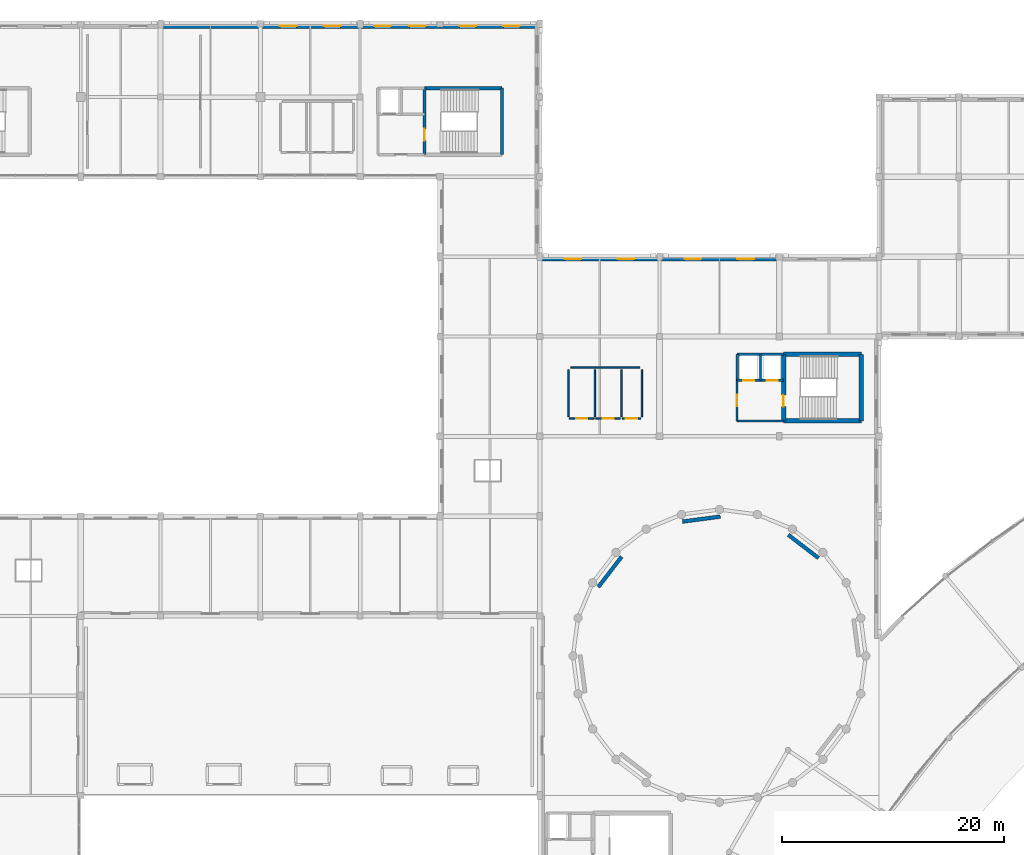
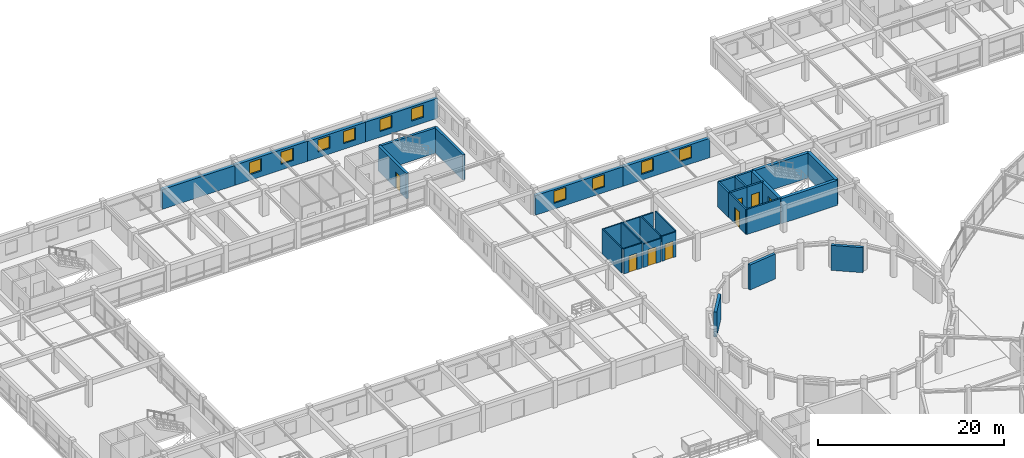
# One storey, part 55 of 74: 31 walls, 10 windows, 8 doors, 18 openings.
"""IFC4 building model written with IfcOpenShell, lengths in metres."""

from ifc_helpers import new_model, si_unit, direction, frame, frame_2d, origin, place, context, subcontext, project, spatial, rectangle, extrude, material, layer, layer_set, type_object, element, fill, save


model = new_model("IFC4")

# Units and contexts
model_context = context("Model", 3, precision=1e-05, world=origin(), true_north=direction((0.0, 1.0)))
body_context = subcontext(model_context, "Body", "Model", "MODEL_VIEW")
ifc_project = project(units=[si_unit("LENGTHUNIT", "METRE"), si_unit("AREAUNIT", "SQUARE_METRE"), si_unit("VOLUMEUNIT", "CUBIC_METRE"), si_unit("PLANEANGLEUNIT", "RADIAN"), si_unit("MASSUNIT", "GRAM", prefix="KILO")], contexts=[model_context])

# Site, building, storey
site_placement = place(None, origin())
site = spatial("IfcSite", under=ifc_project, at=site_placement, CompositionType="ELEMENT")
building_placement = place(site_placement, origin())
building = spatial("IfcBuilding", under=site, at=building_placement, Name="Clarverna Civic Hall", CompositionType="ELEMENT")
storey_placement = place(building_placement, frame((0.0, 0.0, 9.60009765625)))
storey = spatial("IfcBuildingStorey", under=building, at=storey_placement, Name="L02", CompositionType="ELEMENT", Elevation=9.60009765625)

# Wall
ifc_material_1 = material(Name="Montjuic Limestone Ashlar Cladding", Category="masonry")
ifc_layer_1 = layer(ifc_material_1, 0.39990234375)
ifc_layer_set_1 = layer_set([ifc_layer_1], Name="Montjuic Limestone Ashlar Cladding")
wall_type_1 = type_object("IfcWallType", Name="EW-02", PredefinedType="SOLIDWALL", material=ifc_layer_set_1)
wall_1_placement = place(storey_placement, frame((32.39990234375, 115.800048828125, 0.0), z_axis=(0.0, 0.0, 1.0), x_axis=(1.0, 0.0, 0.0)))
element("IfcWall", 1, at=wall_1_placement, inside=storey, type_object=wall_type_1, Name="EW-02-088", PredefinedType="SOLIDWALL", context=body_context, shape_type="SweptSolid", body=[
    extrude(rectangle(XDim=9.0, YDim=0.39990234375, at=frame_2d((4.5, 0.0))), origin(), (0.0, 0.0, 1.0), 2.599853515625),
])

# Wall, openings, windows
wall_2_placement = place(storey_placement, frame((41.39990234375, 115.800048828125, 0.0), z_axis=(0.0, 0.0, 1.0), x_axis=(1.0, 0.0, 0.0)))
wall_2 = element("IfcWall", 2, at=wall_2_placement, inside=storey, type_object=wall_type_1, Name="EW-02-089", PredefinedType="SOLIDWALL", context=body_context, shape_type="SweptSolid", body=[
    extrude(rectangle(XDim=9.0, YDim=0.39990234375, at=frame_2d((4.5, 0.0))), origin(), (0.0, 0.0, 1.0), 2.639892578125),
])
opening_1_placement = place(wall_2_placement, frame((1.77001953125, 0.0, 0.75)))
opening_1 = element("IfcOpeningElement", 3, at=opening_1_placement, cuts=wall_2, Name="Opening WN-14", PredefinedType="OPENING", context=body_context, shape_type="SweptSolid", body=[
    extrude(rectangle(XDim=1.5, YDim=1.60009765625, at=frame_2d((0.75, 0.800048828125))), frame((0.0, 0.2099609375, 0.0), z_axis=(0.0, -1.0, 0.0), x_axis=(1.0, 0.0, 0.0)), (0.0, 0.0, 1.0), 0.419921875),
])
opening_2_placement = place(wall_2_placement, frame((5.72998046875, 0.0, 0.75)))
opening_2 = element("IfcOpeningElement", 4, at=opening_2_placement, cuts=wall_2, Name="Opening WN-14", PredefinedType="OPENING", context=body_context, shape_type="SweptSolid", body=[
    extrude(rectangle(XDim=1.5, YDim=1.60009765625, at=frame_2d((0.75, 0.800048828125))), frame((0.0, 0.2099609375, 0.0), z_axis=(0.0, -1.0, 0.0), x_axis=(1.0, 0.0, 0.0)), (0.0, 0.0, 1.0), 0.419921875),
])
ifc_material_2 = material(Name="Solar-Control Argon Low-E Double Glazing", Category="glass")
window_type = type_object("IfcWindowType", Name="WN-14", PartitioningType="DOUBLE_PANEL_HORIZONTAL", PredefinedType="WINDOW", material=ifc_material_2)
window_1_placement = place(opening_1_placement, origin())
window_1 = element("IfcWindow", 5, at=window_1_placement, inside=storey, type_object=window_type, Name="WN-14-030", OverallHeight=1.60009765625, OverallWidth=1.5, PartitioningType="DOUBLE_PANEL_HORIZONTAL", PredefinedType="WINDOW", context=body_context, shape_type="SweptSolid", body=[
    extrude(rectangle(XDim=1.5, YDim=1.60009765625, at=frame_2d((0.75, 0.800048828125))), frame((0.0, 0.030029296875, 0.0), z_axis=(0.0, -1.0, 0.0), x_axis=(1.0, 0.0, 0.0)), (0.0, 0.0, 1.0), 0.06005859375),
])
fill(opening_1, window_1)
window_2_placement = place(opening_2_placement, origin())
window_2 = element("IfcWindow", 6, at=window_2_placement, inside=storey, type_object=window_type, Name="WN-14-031", OverallHeight=1.60009765625, OverallWidth=1.5, PartitioningType="DOUBLE_PANEL_HORIZONTAL", PredefinedType="WINDOW", context=body_context, shape_type="SweptSolid", body=[
    extrude(rectangle(XDim=1.5, YDim=1.60009765625, at=frame_2d((0.75, 0.800048828125))), frame((0.0, 0.030029296875, 0.0), z_axis=(0.0, -1.0, 0.0), x_axis=(1.0, 0.0, 0.0)), (0.0, 0.0, 1.0), 0.06005859375),
])
fill(opening_2, window_2)

wall_3_placement = place(storey_placement, frame((50.39990234375, 115.800048828125, 0.0), z_axis=(0.0, 0.0, 1.0), x_axis=(1.0, 0.0, 0.0)))
wall_3 = element("IfcWall", 7, at=wall_3_placement, inside=storey, type_object=wall_type_1, Name="EW-02-090", PredefinedType="SOLIDWALL", context=body_context, shape_type="SweptSolid", body=[
    extrude(rectangle(XDim=7.2001953125, YDim=0.39990234375, at=frame_2d((3.60009765625, 0.0))), origin(), (0.0, 0.0, 1.0), 2.599853515625),
])
opening_3_placement = place(wall_3_placement, frame((1.26611328125, 0.0, 0.75)))
opening_3 = element("IfcOpeningElement", 8, at=opening_3_placement, cuts=wall_3, Name="Opening WN-14", PredefinedType="OPENING", context=body_context, shape_type="SweptSolid", body=[
    extrude(rectangle(XDim=1.5, YDim=1.60009765625, at=frame_2d((0.75, 0.800048828125))), frame((0.0, 0.2099609375, 0.0), z_axis=(0.0, -1.0, 0.0), x_axis=(1.0, 0.0, 0.0)), (0.0, 0.0, 1.0), 0.419921875),
])
opening_4_placement = place(wall_3_placement, frame((4.43408203125, 0.0, 0.75)))
opening_4 = element("IfcOpeningElement", 9, at=opening_4_placement, cuts=wall_3, Name="Opening WN-14", PredefinedType="OPENING", context=body_context, shape_type="SweptSolid", body=[
    extrude(rectangle(XDim=1.5, YDim=1.60009765625, at=frame_2d((0.75, 0.800048828125))), frame((0.0, 0.2099609375, 0.0), z_axis=(0.0, -1.0, 0.0), x_axis=(1.0, 0.0, 0.0)), (0.0, 0.0, 1.0), 0.419921875),
])
window_3_placement = place(opening_3_placement, origin())
window_3 = element("IfcWindow", 10, at=window_3_placement, inside=storey, type_object=window_type, Name="WN-14-032", OverallHeight=1.60009765625, OverallWidth=1.5, PartitioningType="DOUBLE_PANEL_HORIZONTAL", PredefinedType="WINDOW", context=body_context, shape_type="SweptSolid", body=[
    extrude(rectangle(XDim=1.5, YDim=1.60009765625, at=frame_2d((0.75, 0.800048828125))), frame((0.0, 0.030029296875, 0.0), z_axis=(0.0, -1.0, 0.0), x_axis=(1.0, 0.0, 0.0)), (0.0, 0.0, 1.0), 0.06005859375),
])
fill(opening_3, window_3)
window_4_placement = place(opening_4_placement, origin())
window_4 = element("IfcWindow", 11, at=window_4_placement, inside=storey, type_object=window_type, Name="WN-14-033", OverallHeight=1.60009765625, OverallWidth=1.5, PartitioningType="DOUBLE_PANEL_HORIZONTAL", PredefinedType="WINDOW", context=body_context, shape_type="SweptSolid", body=[
    extrude(rectangle(XDim=1.5, YDim=1.60009765625, at=frame_2d((0.75, 0.800048828125))), frame((0.0, 0.030029296875, 0.0), z_axis=(0.0, -1.0, 0.0), x_axis=(1.0, 0.0, 0.0)), (0.0, 0.0, 1.0), 0.06005859375),
])
fill(opening_4, window_4)

wall_4_placement = place(storey_placement, frame((57.60009765625, 115.800048828125, 0.0), z_axis=(0.0, 0.0, 1.0), x_axis=(1.0, 0.0, 0.0)))
wall_4 = element("IfcWall", 12, at=wall_4_placement, inside=storey, type_object=wall_type_1, Name="EW-02-091", PredefinedType="SOLIDWALL", context=body_context, shape_type="SweptSolid", body=[
    extrude(rectangle(XDim=8.974853515625, YDim=0.39990234375, at=frame_2d((4.4873046875, 0.0))), origin(), (0.0, 0.0, 1.0), 2.599853515625),
])
opening_5_placement = place(wall_4_placement, frame((1.762939453125, 0.0, 0.75)))
opening_5 = element("IfcOpeningElement", 13, at=opening_5_placement, cuts=wall_4, Name="Opening WN-14", PredefinedType="OPENING", context=body_context, shape_type="SweptSolid", body=[
    extrude(rectangle(XDim=1.5, YDim=1.60009765625, at=frame_2d((0.75, 0.800048828125))), frame((0.0, 0.2099609375, 0.0), z_axis=(0.0, -1.0, 0.0), x_axis=(1.0, 0.0, 0.0)), (0.0, 0.0, 1.0), 0.419921875),
])
opening_6_placement = place(wall_4_placement, frame((5.7119140625, 0.0, 0.75)))
opening_6 = element("IfcOpeningElement", 14, at=opening_6_placement, cuts=wall_4, Name="Opening WN-14", PredefinedType="OPENING", context=body_context, shape_type="SweptSolid", body=[
    extrude(rectangle(XDim=1.5, YDim=1.60009765625, at=frame_2d((0.75, 0.800048828125))), frame((0.0, 0.2099609375, 0.0), z_axis=(0.0, -1.0, 0.0), x_axis=(1.0, 0.0, 0.0)), (0.0, 0.0, 1.0), 0.419921875),
])
window_5_placement = place(opening_5_placement, origin())
window_5 = element("IfcWindow", 15, at=window_5_placement, inside=storey, type_object=window_type, Name="WN-14-034", OverallHeight=1.60009765625, OverallWidth=1.5, PartitioningType="DOUBLE_PANEL_HORIZONTAL", PredefinedType="WINDOW", context=body_context, shape_type="SweptSolid", body=[
    extrude(rectangle(XDim=1.5, YDim=1.60009765625, at=frame_2d((0.75, 0.800048828125))), frame((0.0, 0.030029296875, 0.0), z_axis=(0.0, -1.0, 0.0), x_axis=(1.0, 0.0, 0.0)), (0.0, 0.0, 1.0), 0.06005859375),
])
fill(opening_5, window_5)
window_6_placement = place(opening_6_placement, origin())
window_6 = element("IfcWindow", 16, at=window_6_placement, inside=storey, type_object=window_type, Name="WN-14-035", OverallHeight=1.60009765625, OverallWidth=1.5, PartitioningType="DOUBLE_PANEL_HORIZONTAL", PredefinedType="WINDOW", context=body_context, shape_type="SweptSolid", body=[
    extrude(rectangle(XDim=1.5, YDim=1.60009765625, at=frame_2d((0.75, 0.800048828125))), frame((0.0, 0.030029296875, 0.0), z_axis=(0.0, -1.0, 0.0), x_axis=(1.0, 0.0, 0.0)), (0.0, 0.0, 1.0), 0.06005859375),
])
fill(opening_6, window_6)

wall_5_placement = place(storey_placement, frame((66.574951171875, 94.800048828125, 0.0), z_axis=(0.0, 0.0, 1.0), x_axis=(1.0, 0.0, 0.0)))
wall_5 = element("IfcWall", 17, at=wall_5_placement, inside=storey, type_object=wall_type_1, Name="EW-02-095", PredefinedType="SOLIDWALL", context=body_context, shape_type="SweptSolid", body=[
    extrude(rectangle(XDim=10.824951171875, YDim=0.39990234375, at=frame_2d((5.41259765625, 0.0))), origin(), (0.0, 0.0, 1.0), 2.559814453125),
])
opening_7_placement = place(wall_5_placement, frame((2.281005859375, 0.0, 0.75)))
opening_7 = element("IfcOpeningElement", 18, at=opening_7_placement, cuts=wall_5, Name="Opening WN-14", PredefinedType="OPENING", context=body_context, shape_type="SweptSolid", body=[
    extrude(rectangle(XDim=1.5, YDim=1.60009765625, at=frame_2d((0.75, 0.800048828125))), frame((0.0, 0.2099609375, 0.0), z_axis=(0.0, -1.0, 0.0), x_axis=(1.0, 0.0, 0.0)), (0.0, 0.0, 1.0), 0.419921875),
])
opening_8_placement = place(wall_5_placement, frame((7.0439453125, 0.0, 0.75)))
opening_8 = element("IfcOpeningElement", 19, at=opening_8_placement, cuts=wall_5, Name="Opening WN-14", PredefinedType="OPENING", context=body_context, shape_type="SweptSolid", body=[
    extrude(rectangle(XDim=1.5, YDim=1.60009765625, at=frame_2d((0.75, 0.800048828125))), frame((0.0, 0.2099609375, 0.0), z_axis=(0.0, -1.0, 0.0), x_axis=(1.0, 0.0, 0.0)), (0.0, 0.0, 1.0), 0.419921875),
])
window_7_placement = place(opening_7_placement, origin())
window_7 = element("IfcWindow", 20, at=window_7_placement, inside=storey, type_object=window_type, Name="WN-14-042", OverallHeight=1.60009765625, OverallWidth=1.5, PartitioningType="DOUBLE_PANEL_HORIZONTAL", PredefinedType="WINDOW", context=body_context, shape_type="SweptSolid", body=[
    extrude(rectangle(XDim=1.5, YDim=1.60009765625, at=frame_2d((0.75, 0.800048828125))), frame((0.0, 0.030029296875, 0.0), z_axis=(0.0, -1.0, 0.0), x_axis=(1.0, 0.0, 0.0)), (0.0, 0.0, 1.0), 0.06005859375),
])
fill(opening_7, window_7)
window_8_placement = place(opening_8_placement, origin())
window_8 = element("IfcWindow", 21, at=window_8_placement, inside=storey, type_object=window_type, Name="WN-14-043", OverallHeight=1.60009765625, OverallWidth=1.5, PartitioningType="DOUBLE_PANEL_HORIZONTAL", PredefinedType="WINDOW", context=body_context, shape_type="SweptSolid", body=[
    extrude(rectangle(XDim=1.5, YDim=1.60009765625, at=frame_2d((0.75, 0.800048828125))), frame((0.0, 0.030029296875, 0.0), z_axis=(0.0, -1.0, 0.0), x_axis=(1.0, 0.0, 0.0)), (0.0, 0.0, 1.0), 0.06005859375),
])
fill(opening_8, window_8)

wall_6_placement = place(storey_placement, frame((77.39990234375, 94.800048828125, 0.0), z_axis=(0.0, 0.0, 1.0), x_axis=(1.0, 0.0, 0.0)))
wall_6 = element("IfcWall", 22, at=wall_6_placement, inside=storey, type_object=wall_type_1, Name="EW-02-096", PredefinedType="SOLIDWALL", context=body_context, shape_type="SweptSolid", body=[
    extrude(rectangle(XDim=10.800048828125, YDim=0.39990234375, at=frame_2d((5.39990234375, 0.0))), origin(), (0.0, 0.0, 1.0), 2.52978515625),
])
opening_9_placement = place(wall_6_placement, frame((2.27392578125, 0.0, 0.75)))
opening_9 = element("IfcOpeningElement", 23, at=opening_9_placement, cuts=wall_6, Name="Opening WN-14", PredefinedType="OPENING", context=body_context, shape_type="SweptSolid", body=[
    extrude(rectangle(XDim=1.5, YDim=1.60009765625, at=frame_2d((0.75, 0.800048828125))), frame((0.0, 0.2099609375, 0.0), z_axis=(0.0, -1.0, 0.0), x_axis=(1.0, 0.0, 0.0)), (0.0, 0.0, 1.0), 0.419921875),
])
opening_10_placement = place(wall_6_placement, frame((7.02587890625, 0.0, 0.75)))
opening_10 = element("IfcOpeningElement", 24, at=opening_10_placement, cuts=wall_6, Name="Opening WN-14", PredefinedType="OPENING", context=body_context, shape_type="SweptSolid", body=[
    extrude(rectangle(XDim=1.5, YDim=1.60009765625, at=frame_2d((0.75, 0.800048828125))), frame((0.0, 0.2099609375, 0.0), z_axis=(0.0, -1.0, 0.0), x_axis=(1.0, 0.0, 0.0)), (0.0, 0.0, 1.0), 0.419921875),
])
window_9_placement = place(opening_9_placement, origin())
window_9 = element("IfcWindow", 25, at=window_9_placement, inside=storey, type_object=window_type, Name="WN-14-044", OverallHeight=1.60009765625, OverallWidth=1.5, PartitioningType="DOUBLE_PANEL_HORIZONTAL", PredefinedType="WINDOW", context=body_context, shape_type="SweptSolid", body=[
    extrude(rectangle(XDim=1.5, YDim=1.60009765625, at=frame_2d((0.75, 0.800048828125))), frame((0.0, 0.030029296875, 0.0), z_axis=(0.0, -1.0, 0.0), x_axis=(1.0, 0.0, 0.0)), (0.0, 0.0, 1.0), 0.06005859375),
])
fill(opening_9, window_9)
window_10_placement = place(opening_10_placement, origin())
window_10 = element("IfcWindow", 26, at=window_10_placement, inside=storey, type_object=window_type, Name="WN-14-045", OverallHeight=1.60009765625, OverallWidth=1.5, PartitioningType="DOUBLE_PANEL_HORIZONTAL", PredefinedType="WINDOW", context=body_context, shape_type="SweptSolid", body=[
    extrude(rectangle(XDim=1.5, YDim=1.60009765625, at=frame_2d((0.75, 0.800048828125))), frame((0.0, 0.030029296875, 0.0), z_axis=(0.0, -1.0, 0.0), x_axis=(1.0, 0.0, 0.0)), (0.0, 0.0, 1.0), 0.06005859375),
])
fill(opening_10, window_10)

# Walls
ifc_material_3 = material(Name="Ceramic Brick and Plaster Wet-Room Partition", Category="masonry")
ifc_layer_2 = layer(ifc_material_3, 0.139892578125)
ifc_layer_set_2 = layer_set([ifc_layer_2], Name="Ceramic Brick and Plaster Wet-Room Partition")
wall_type_2 = type_object("IfcWallType", Name="PW-02", PredefinedType="PARTITIONING", material=ifc_layer_set_2)
wall_7_placement = place(storey_placement, frame((69.3798828125, 85.0, 0.0), z_axis=(0.0, 0.0, 1.0), x_axis=(1.0, 0.0, 0.0)))
element("IfcWall", 27, at=wall_7_placement, inside=storey, type_object=wall_type_2, Name="PW-02-089", PredefinedType="PARTITIONING", context=body_context, shape_type="SweptSolid", body=[
    extrude(rectangle(XDim=6.240234375, YDim=0.139892578125, at=frame_2d((3.1201171875, 0.0))), origin(), (0.0, 0.0, 1.0), 3.059814453125),
])
for number, where, z_axis, x_axis, name in (
    (28, (69.199951171875, 80.580078125, 0.0), (0.0, 0.0, 1.0), (0.0, 1.0, 0.0), "PW-02-090"),
    (29, (75.800048828125, 80.580078125, 0.0), (0.0, 0.0, 1.0), (0.0, 1.0, 0.0), "PW-02-091"),
    (30, (71.575927734375, 80.580078125, 0.0), (0.0, 0.0, 1.0), (0.0, 1.0, 0.0), "PW-02-092"),
    (31, (73.951904296875, 80.580078125, 0.0), (0.0, 0.0, 1.0), (0.0, 1.0, 0.0), "PW-02-093"),
):
    element("IfcWall", number, at=place(storey_placement, frame(where, z_axis=z_axis, x_axis=x_axis)), inside=storey, type_object=wall_type_2, Name=name, PredefinedType="PARTITIONING", context=body_context, shape_type="SweptSolid", body=[
        extrude(rectangle(XDim=4.239990234375, YDim=0.139892578125, at=frame_2d((2.1201171875, 0.0))), origin(), (0.0, 0.0, 1.0), 3.27978515625),
    ])

# Wall, opening, door
wall_8_placement = place(storey_placement, frame((69.280029296875, 80.39990234375, 0.0), z_axis=(0.0, 0.0, 1.0), x_axis=(1.0, 0.0, 0.0)))
wall_8 = element("IfcWall", 32, at=wall_8_placement, inside=storey, type_object=wall_type_2, Name="PW-02-094", PredefinedType="PARTITIONING", context=body_context, shape_type="SweptSolid", body=[
    extrude(rectangle(XDim=2.216064453125, YDim=0.139892578125, at=frame_2d((1.10791015625, 0.0))), origin(), (0.0, 0.0, 1.0), 3.27978515625),
])
opening_11_placement = place(wall_8_placement, frame((0.60791015625, 0.0, 0.0)))
opening_11 = element("IfcOpeningElement", 33, at=opening_11_placement, cuts=wall_8, Name="Opening ID-02", PredefinedType="OPENING", context=body_context, shape_type="SweptSolid", body=[
    extrude(rectangle(XDim=1.0, YDim=2.14990234375, at=frame_2d((0.5, 1.074951171875))), frame((0.0, 0.079833984375, 0.0), z_axis=(0.0, -1.0, 0.0), x_axis=(1.0, 0.0, 0.0)), (0.0, 0.0, 1.0), 0.159912109375),
])
ifc_material_4 = material(Name="European Oak Veneered Acoustic Timber Door", Category="wood")
door_type_1 = type_object("IfcDoorType", Name="ID-02", OperationType="NOTDEFINED", PredefinedType="DOOR", material=ifc_material_4)
door_1_placement = place(opening_11_placement, origin())
door_1 = element("IfcDoor", 34, at=door_1_placement, inside=storey, type_object=door_type_1, Name="ID-02-034", OperationType="SINGLE_SWING_RIGHT", OverallHeight=2.14990234375, OverallWidth=1.0, PredefinedType="DOOR", context=body_context, shape_type="SweptSolid", body=[
    extrude(rectangle(XDim=1.0, YDim=2.14990234375, at=frame_2d((0.5, 1.074951171875))), frame((0.0, 0.02490234375, 0.0), z_axis=(0.0, -1.0, 0.0), x_axis=(1.0, 0.0, 0.0)), (0.0, 0.0, 1.0), 0.050048828125),
])
fill(opening_11, door_1)

wall_9_placement = place(storey_placement, frame((71.656005859375, 80.39990234375, 0.0), z_axis=(0.0, 0.0, 1.0), x_axis=(1.0, 0.0, 0.0)))
wall_9 = element("IfcWall", 35, at=wall_9_placement, inside=storey, type_object=wall_type_2, Name="PW-02-095", PredefinedType="PARTITIONING", context=body_context, shape_type="SweptSolid", body=[
    extrude(rectangle(XDim=2.216064453125, YDim=0.139892578125, at=frame_2d((1.10791015625, 0.0))), origin(), (0.0, 0.0, 1.0), 3.059814453125),
])
opening_12_placement = place(wall_9_placement, frame((0.60791015625, 0.0, 0.0)))
opening_12 = element("IfcOpeningElement", 36, at=opening_12_placement, cuts=wall_9, Name="Opening ID-02", PredefinedType="OPENING", context=body_context, shape_type="SweptSolid", body=[
    extrude(rectangle(XDim=1.0, YDim=2.14990234375, at=frame_2d((0.5, 1.074951171875))), frame((0.0, 0.079833984375, 0.0), z_axis=(0.0, -1.0, 0.0), x_axis=(1.0, 0.0, 0.0)), (0.0, 0.0, 1.0), 0.159912109375),
])
door_2_placement = place(opening_12_placement, origin())
door_2 = element("IfcDoor", 37, at=door_2_placement, inside=storey, type_object=door_type_1, Name="ID-02-035", OperationType="SINGLE_SWING_LEFT", OverallHeight=2.14990234375, OverallWidth=1.0, PredefinedType="DOOR", context=body_context, shape_type="SweptSolid", body=[
    extrude(rectangle(XDim=1.0, YDim=2.14990234375, at=frame_2d((0.5, 1.074951171875))), frame((0.0, 0.02490234375, 0.0), z_axis=(0.0, -1.0, 0.0), x_axis=(1.0, 0.0, 0.0)), (0.0, 0.0, 1.0), 0.050048828125),
])
fill(opening_12, door_2)

wall_10_placement = place(storey_placement, frame((74.031982421875, 80.39990234375, 0.0), z_axis=(0.0, 0.0, 1.0), x_axis=(1.0, 0.0, 0.0)))
wall_10 = element("IfcWall", 38, at=wall_10_placement, inside=storey, type_object=wall_type_2, Name="PW-02-096", PredefinedType="PARTITIONING", context=body_context, shape_type="SweptSolid", body=[
    extrude(rectangle(XDim=1.68798828125, YDim=0.139892578125, at=frame_2d((0.843994140625, 0.0))), origin(), (0.0, 0.0, 1.0), 3.27978515625),
])
opening_13_placement = place(wall_10_placement, frame((0.343994140625, 0.0, 0.0)))
opening_13 = element("IfcOpeningElement", 39, at=opening_13_placement, cuts=wall_10, Name="Opening ID-02", PredefinedType="OPENING", context=body_context, shape_type="SweptSolid", body=[
    extrude(rectangle(XDim=1.0, YDim=2.14990234375, at=frame_2d((0.5, 1.074951171875))), frame((0.0, 0.079833984375, 0.0), z_axis=(0.0, -1.0, 0.0), x_axis=(1.0, 0.0, 0.0)), (0.0, 0.0, 1.0), 0.159912109375),
])
door_3_placement = place(opening_13_placement, origin())
door_3 = element("IfcDoor", 40, at=door_3_placement, inside=storey, type_object=door_type_1, Name="ID-02-036", OperationType="SINGLE_SWING_RIGHT", OverallHeight=2.14990234375, OverallWidth=1.0, PredefinedType="DOOR", context=body_context, shape_type="SweptSolid", body=[
    extrude(rectangle(XDim=1.0, YDim=2.14990234375, at=frame_2d((0.5, 1.074951171875))), frame((0.0, 0.02490234375, 0.0), z_axis=(0.0, -1.0, 0.0), x_axis=(1.0, 0.0, 0.0)), (0.0, 0.0, 1.0), 0.050048828125),
])
fill(opening_13, door_3)

ifc_material_5 = material(Name="Acoustic Gypsum Plasterboard on Twin Frame", Category="gypsum")
ifc_layer_3 = layer(ifc_material_5, 0.18994140625)
ifc_layer_set_3 = layer_set([ifc_layer_3], Name="Acoustic Gypsum Plasterboard on Twin Frame")
wall_type_3 = type_object("IfcWallType", Name="PW-06", PredefinedType="PARTITIONING", material=ifc_layer_set_3)
wall_11_placement = place(storey_placement, frame((84.39990234375, 80.199951171875, 0.0), z_axis=(0.0, 0.0, 1.0), x_axis=(0.0, 1.0, 0.0)))
wall_11 = element("IfcWall", 41, at=wall_11_placement, inside=storey, type_object=wall_type_3, Name="PW-06-043", PredefinedType="PARTITIONING", context=body_context, shape_type="SweptSolid", body=[
    extrude(rectangle(XDim=3.650146484375, YDim=0.18994140625, at=frame_2d((1.8251953125, 0.0))), origin(), (0.0, 0.0, 1.0), 3.27978515625),
])
opening_14_placement = place(wall_11_placement, frame((1.300048828125, 0.0, 0.0)))
opening_14 = element("IfcOpeningElement", 42, at=opening_14_placement, cuts=wall_11, Name="Opening FD-02", PredefinedType="OPENING", context=body_context, shape_type="SweptSolid", body=[
    extrude(rectangle(XDim=1.050048828125, YDim=2.14990234375, at=frame_2d((0.52490234375, 1.074951171875))), frame((0.0, 0.10498046875, 0.0), z_axis=(0.0, -1.0, 0.0), x_axis=(1.0, 0.0, 0.0)), (0.0, 0.0, 1.0), 0.2099609375),
])
ifc_material_6 = material(Name="Acoustic Timber-Faced Fire Door", Category="wood")
door_type_2 = type_object("IfcDoorType", Name="FD-02", OperationType="NOTDEFINED", PredefinedType="DOOR", material=ifc_material_6)
door_4_placement = place(opening_14_placement, origin())
door_4 = element("IfcDoor", 43, at=door_4_placement, inside=storey, type_object=door_type_2, Name="FD-02-041", OperationType="SINGLE_SWING_RIGHT", OverallHeight=2.14990234375, OverallWidth=1.050048828125, PredefinedType="DOOR", context=body_context, shape_type="SweptSolid", body=[
    extrude(rectangle(XDim=1.050048828125, YDim=2.14990234375, at=frame_2d((0.52490234375, 1.074951171875))), frame((0.0, 0.02490234375, 0.0), z_axis=(0.0, -1.0, 0.0), x_axis=(1.0, 0.0, 0.0)), (0.0, 0.0, 1.0), 0.050048828125),
])
fill(opening_14, door_4)

# Wall
wall_12_placement = place(storey_placement, frame((84.39990234375, 80.199951171875, 0.0), z_axis=(0.0, 0.0, 1.0), x_axis=(1.0, 0.0, 0.0)))
element("IfcWall", 44, at=wall_12_placement, inside=storey, type_object=wall_type_3, Name="PW-06-044", PredefinedType="PARTITIONING", context=body_context, shape_type="SweptSolid", body=[
    extrude(rectangle(XDim=4.2001953125, YDim=0.18994140625, at=frame_2d((2.10009765625, 0.0))), origin(), (0.0, 0.0, 1.0), 3.27978515625),
])

# Wall, opening, door
ifc_material_7 = material(Name="Concrete C35/45", Category="concrete")
ifc_layer_4 = layer(ifc_material_7, 0.3798828125)
ifc_layer_set_4 = layer_set([ifc_layer_4], Name="Concrete C35/45")
wall_type_4 = type_object("IfcWallType", Name="SW-01", PredefinedType="SHEAR", material=ifc_layer_set_4)
wall_13_placement = place(storey_placement, frame((88.60009765625, 80.199951171875, 0.0), z_axis=(0.0, 0.0, 1.0), x_axis=(0.0, 1.0, 0.0)))
wall_13 = element("IfcWall", 45, at=wall_13_placement, inside=storey, type_object=wall_type_4, Name="SW-01-190", PredefinedType="SHEAR", context=body_context, shape_type="SweptSolid", body=[
    extrude(rectangle(XDim=6.0, YDim=0.3798828125, at=frame_2d((3.0, 0.0))), origin(), (0.0, 0.0, 1.0), 3.27978515625),
])
opening_15_placement = place(wall_13_placement, frame((1.27490234375, 0.0, 0.0)))
opening_15 = element("IfcOpeningElement", 46, at=opening_15_placement, cuts=wall_13, Name="Opening FD-02", PredefinedType="OPENING", context=body_context, shape_type="SweptSolid", body=[
    extrude(rectangle(XDim=1.050048828125, YDim=2.14990234375, at=frame_2d((0.52490234375, 1.074951171875))), frame((0.0, 0.199951171875, 0.0), z_axis=(0.0, -1.0, 0.0), x_axis=(1.0, 0.0, 0.0)), (0.0, 0.0, 1.0), 0.39990234375),
])
door_5_placement = place(opening_15_placement, origin())
door_5 = element("IfcDoor", 47, at=door_5_placement, inside=storey, type_object=door_type_2, Name="FD-02-040", OperationType="SINGLE_SWING_LEFT", OverallHeight=2.14990234375, OverallWidth=1.050048828125, PredefinedType="DOOR", context=body_context, shape_type="SweptSolid", body=[
    extrude(rectangle(XDim=1.050048828125, YDim=2.14990234375, at=frame_2d((0.52490234375, 1.074951171875))), frame((0.0, 0.02490234375, 0.0), z_axis=(0.0, -1.0, 0.0), x_axis=(1.0, 0.0, 0.0)), (0.0, 0.0, 1.0), 0.050048828125),
])
fill(opening_15, door_5)

# Walls
wall_14_placement = place(storey_placement, frame((95.60009765625, 80.199951171875, 0.0), z_axis=(0.0, 0.0, 1.0), x_axis=(0.0, 1.0, 0.0)))
element("IfcWall", 48, at=wall_14_placement, inside=storey, type_object=wall_type_4, Name="SW-01-191", PredefinedType="SHEAR", context=body_context, shape_type="SweptSolid", body=[
    extrude(rectangle(XDim=6.0, YDim=0.3798828125, at=frame_2d((3.0, 0.0))), origin(), (0.0, 0.0, 1.0), 3.27978515625),
])
for number, where, z_axis, x_axis, name in (
    (49, (88.60009765625, 80.199951171875, 0.0), (0.0, 0.0, 1.0), (1.0, 0.0, 0.0), "SW-01-192"),
    (50, (88.60009765625, 86.199951171875, 0.0), (0.0, 0.0, 1.0), (1.0, 0.0, 0.0), "SW-01-193"),
):
    element("IfcWall", number, at=place(storey_placement, frame(where, z_axis=z_axis, x_axis=x_axis)), inside=storey, type_object=wall_type_4, Name=name, PredefinedType="SHEAR", context=body_context, shape_type="SweptSolid", body=[
        extrude(rectangle(XDim=7.0, YDim=0.3798828125, at=frame_2d((3.5, 0.0))), origin(), (0.0, 0.0, 1.0), 3.27978515625),
    ])
wall_15_placement = place(storey_placement, frame((84.39990234375, 86.199951171875, 0.0), z_axis=(0.0, 0.0, 1.0), x_axis=(1.0, 0.0, 0.0)))
element("IfcWall", 51, at=wall_15_placement, inside=storey, type_object=wall_type_4, Name="SW-01-194", PredefinedType="SHEAR", context=body_context, shape_type="SweptSolid", body=[
    extrude(rectangle(XDim=4.2001953125, YDim=0.239990234375, at=frame_2d((2.10009765625, 0.0))), origin(), (0.0, 0.0, 1.0), 3.27978515625),
])
wall_16_placement = place(storey_placement, frame((84.39990234375, 83.85009765625, 0.0), z_axis=(0.0, 0.0, 1.0), x_axis=(0.0, 1.0, 0.0)))
element("IfcWall", 52, at=wall_16_placement, inside=storey, type_object=wall_type_4, Name="SW-01-195", PredefinedType="SHEAR", context=body_context, shape_type="SweptSolid", body=[
    extrude(rectangle(XDim=2.349853515625, YDim=0.239990234375, at=frame_2d((1.1748046875, 0.0))), origin(), (0.0, 0.0, 1.0), 3.27978515625),
])
wall_17_placement = place(storey_placement, frame((86.5, 83.85009765625, 0.0), z_axis=(0.0, 0.0, 1.0), x_axis=(0.0, 1.0, 0.0)))
element("IfcWall", 53, at=wall_17_placement, inside=storey, type_object=wall_type_4, Name="SW-01-196", PredefinedType="SHEAR", context=body_context, shape_type="SweptSolid", body=[
    extrude(rectangle(XDim=2.349853515625, YDim=0.199951171875, at=frame_2d((1.1748046875, 0.0))), origin(), (0.0, 0.0, 1.0), 3.27978515625),
])

# Wall, opening, door
wall_18_placement = place(storey_placement, frame((84.39990234375, 83.85009765625, 0.0), z_axis=(0.0, 0.0, 1.0), x_axis=(1.0, 0.0, 0.0)))
wall_18 = element("IfcWall", 54, at=wall_18_placement, inside=storey, type_object=wall_type_4, Name="SW-01-197", PredefinedType="SHEAR", context=body_context, shape_type="SweptSolid", body=[
    extrude(rectangle(XDim=2.10009765625, YDim=0.239990234375, at=frame_2d((1.050048828125, 0.0))), origin(), (0.0, 0.0, 1.0), 3.27978515625),
])
opening_16_placement = place(wall_18_placement, frame((0.550048828125, 0.0, 0.0)))
opening_16 = element("IfcOpeningElement", 55, at=opening_16_placement, cuts=wall_18, Name="Opening LD-01", PredefinedType="OPENING", context=body_context, shape_type="SweptSolid", body=[
    extrude(rectangle(XDim=1.0, YDim=2.10009765625, at=frame_2d((0.5, 1.050048828125))), frame((0.0, 0.1298828125, 0.0), z_axis=(0.0, -1.0, 0.0), x_axis=(1.0, 0.0, 0.0)), (0.0, 0.0, 1.0), 0.260009765625),
])
ifc_material_8 = material(Name="Brushed Bronze Stainless Lift Landing Door")
door_type_3 = type_object("IfcDoorType", Name="LD-01", OperationType="SLIDING_TO_LEFT", PredefinedType="DOOR", material=ifc_material_8)
door_6_placement = place(opening_16_placement, origin())
door_6 = element("IfcDoor", 56, at=door_6_placement, inside=storey, type_object=door_type_3, Name="LD-01-043", OperationType="SLIDING_TO_LEFT", OverallHeight=2.10009765625, OverallWidth=1.0, PredefinedType="DOOR", context=body_context, shape_type="SweptSolid", body=[
    extrude(rectangle(XDim=1.0, YDim=2.10009765625, at=frame_2d((0.5, 1.050048828125))), frame((0.0, 0.02490234375, 0.0), z_axis=(0.0, -1.0, 0.0), x_axis=(1.0, 0.0, 0.0)), (0.0, 0.0, 1.0), 0.050048828125),
])
fill(opening_16, door_6)

wall_19_placement = place(storey_placement, frame((86.5, 83.85009765625, 0.0), z_axis=(0.0, 0.0, 1.0), x_axis=(1.0, 0.0, 0.0)))
wall_19 = element("IfcWall", 57, at=wall_19_placement, inside=storey, type_object=wall_type_4, Name="SW-01-198", PredefinedType="SHEAR", context=body_context, shape_type="SweptSolid", body=[
    extrude(rectangle(XDim=2.10009765625, YDim=0.239990234375, at=frame_2d((1.050048828125, 0.0))), origin(), (0.0, 0.0, 1.0), 3.27978515625),
])
opening_17_placement = place(wall_19_placement, frame((0.550048828125, 0.0, 0.0)))
opening_17 = element("IfcOpeningElement", 58, at=opening_17_placement, cuts=wall_19, Name="Opening LD-01", PredefinedType="OPENING", context=body_context, shape_type="SweptSolid", body=[
    extrude(rectangle(XDim=1.0, YDim=2.10009765625, at=frame_2d((0.5, 1.050048828125))), frame((0.0, 0.1298828125, 0.0), z_axis=(0.0, -1.0, 0.0), x_axis=(1.0, 0.0, 0.0)), (0.0, 0.0, 1.0), 0.260009765625),
])
door_7_placement = place(opening_17_placement, origin())
door_7 = element("IfcDoor", 59, at=door_7_placement, inside=storey, type_object=door_type_3, Name="LD-01-044", OperationType="SLIDING_TO_LEFT", OverallHeight=2.10009765625, OverallWidth=1.0, PredefinedType="DOOR", context=body_context, shape_type="SweptSolid", body=[
    extrude(rectangle(XDim=1.0, YDim=2.10009765625, at=frame_2d((0.5, 1.050048828125))), frame((0.0, 0.02490234375, 0.0), z_axis=(0.0, -1.0, 0.0), x_axis=(1.0, 0.0, 0.0)), (0.0, 0.0, 1.0), 0.050048828125),
])
fill(opening_17, door_7)

# Walls
ifc_layer_5 = layer(ifc_material_7, 0.340087890625)
ifc_layer_set_5 = layer_set([ifc_layer_5], Name="Concrete C35/45")
wall_type_5 = type_object("IfcWallType", Name="SW-02", PredefinedType="SHEAR", material=ifc_layer_set_5)
for number, where, z_axis, x_axis, name in (
    (60, (91.741455078125, 67.822509765625, 0.0), (0.0, 0.0, 1.0), (-0.79334513726, 0.608772119258, 0.0), "SW-02-002"),
    (61, (82.884033203125, 71.56103515625, 0.0), (0.0, 0.0, 1.0), (-0.991446817928, -0.130511329852, 0.0), "SW-02-003"),
    (62, (73.9775390625, 67.94140625, 0.0), (0.0, 0.0, 1.0), (-0.608772119258, -0.79334513726, 0.0), "SW-02-004"),
):
    element("IfcWall", number, at=place(storey_placement, frame(where, z_axis=z_axis, x_axis=x_axis)), inside=storey, type_object=wall_type_5, Name=name, PredefinedType="SHEAR", context=body_context, shape_type="SweptSolid", body=[
        extrude(rectangle(XDim=3.44580078125, YDim=0.340087890625, at=frame_2d((1.722900390625, 0.0))), origin(), (0.0, 0.0, 1.0), 3.27978515625),
    ])

# Wall, opening, door
ifc_layer_6 = layer(ifc_material_7, 0.300048828125)
ifc_layer_set_6 = layer_set([ifc_layer_6], Name="Concrete C35/45")
wall_type_6 = type_object("IfcWallType", Name="SW-03", PredefinedType="SHEAR", material=ifc_layer_set_6)
wall_20_placement = place(storey_placement, frame((56.199951171875, 104.199951171875, 0.0), z_axis=(0.0, 0.0, 1.0), x_axis=(0.0, 1.0, 0.0)))
wall_20 = element("IfcWall", 63, at=wall_20_placement, inside=storey, type_object=wall_type_6, Name="SW-03-235", PredefinedType="SHEAR", context=body_context, shape_type="SweptSolid", body=[
    extrude(rectangle(XDim=6.0, YDim=0.300048828125, at=frame_2d((3.0, 0.0))), origin(), (0.0, 0.0, 1.0), 3.31982421875),
])
opening_18_placement = place(wall_20_placement, frame((1.27490234375, 0.0, 0.0)))
opening_18 = element("IfcOpeningElement", 64, at=opening_18_placement, cuts=wall_20, Name="Opening FD-02", PredefinedType="OPENING", context=body_context, shape_type="SweptSolid", body=[
    extrude(rectangle(XDim=1.050048828125, YDim=2.14990234375, at=frame_2d((0.52490234375, 1.074951171875))), frame((0.0, 0.159912109375, 0.0), z_axis=(0.0, -1.0, 0.0), x_axis=(1.0, 0.0, 0.0)), (0.0, 0.0, 1.0), 0.320068359375),
])
door_8_placement = place(opening_18_placement, origin())
door_8 = element("IfcDoor", 65, at=door_8_placement, inside=storey, type_object=door_type_2, Name="FD-02-100", OperationType="SINGLE_SWING_LEFT", OverallHeight=2.14990234375, OverallWidth=1.050048828125, PredefinedType="DOOR", context=body_context, shape_type="SweptSolid", body=[
    extrude(rectangle(XDim=1.050048828125, YDim=2.14990234375, at=frame_2d((0.52490234375, 1.074951171875))), frame((0.0, 0.02490234375, 0.0), z_axis=(0.0, -1.0, 0.0), x_axis=(1.0, 0.0, 0.0)), (0.0, 0.0, 1.0), 0.050048828125),
])
fill(opening_18, door_8)

# Walls
wall_21_placement = place(storey_placement, frame((63.199951171875, 104.199951171875, 0.0), z_axis=(0.0, 0.0, 1.0), x_axis=(0.0, 1.0, 0.0)))
element("IfcWall", 66, at=wall_21_placement, inside=storey, type_object=wall_type_6, Name="SW-03-236", PredefinedType="SHEAR", context=body_context, shape_type="SweptSolid", body=[
    extrude(rectangle(XDim=6.0, YDim=0.300048828125, at=frame_2d((3.0, 0.0))), origin(), (0.0, 0.0, 1.0), 3.31982421875),
])
wall_22_placement = place(storey_placement, frame((56.199951171875, 110.199951171875, 0.0), z_axis=(0.0, 0.0, 1.0), x_axis=(1.0, 0.0, 0.0)))
element("IfcWall", 67, at=wall_22_placement, inside=storey, type_object=wall_type_6, Name="SW-03-238", PredefinedType="SHEAR", context=body_context, shape_type="SweptSolid", body=[
    extrude(rectangle(XDim=7.0, YDim=0.300048828125, at=frame_2d((3.5, 0.0))), origin(), (0.0, 0.0, 1.0), 3.31982421875),
])

save(model, "model.ifc")
